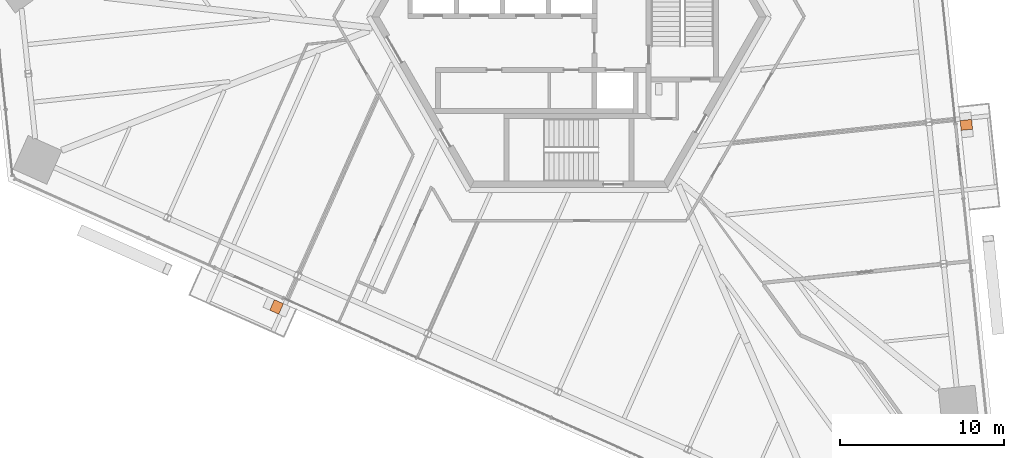
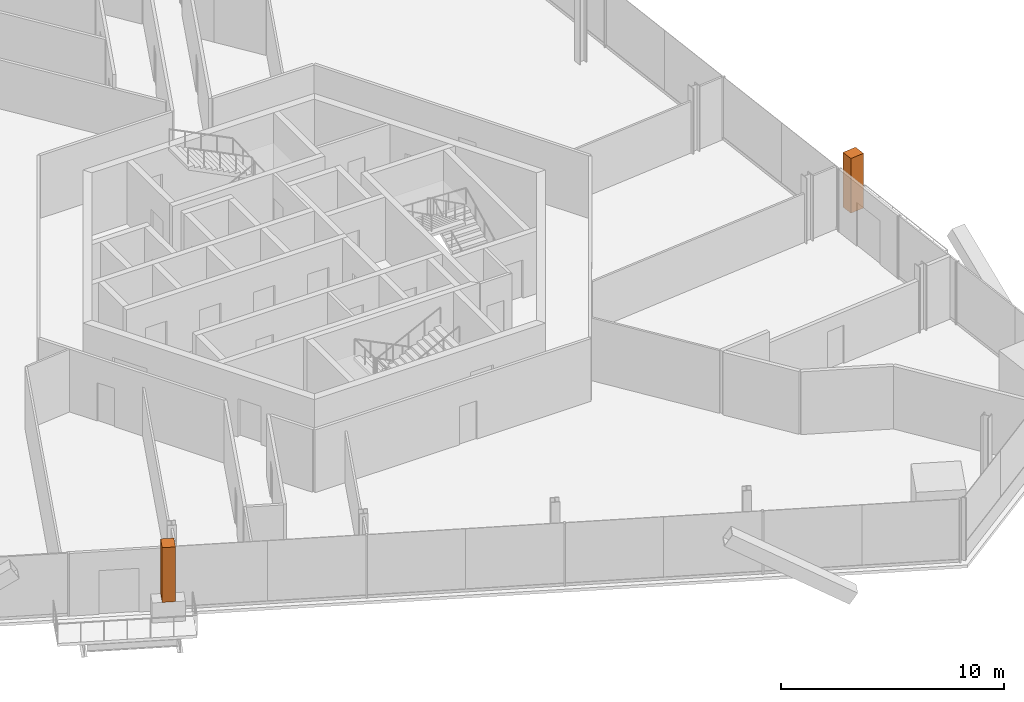
# One storey, part 17 of 17: 2 geographic elements.
"""IFC4 building model written with IfcOpenShell, lengths in metres."""

from ifc_helpers import new_model, si_unit, direction, frame, origin, origin_2d, place, context, subcontext, project, spatial, rectangle, extrude, source, transform, mapped, material, type_object, element, save


model = new_model("IFC4")

# Units and contexts
model_context = context("Model", 3, precision=1e-05, world=origin(), true_north=direction((0.0, 1.0)))
body_context = subcontext(model_context, "Body", "Model", "MODEL_VIEW")
ifc_project = project(units=[si_unit("LENGTHUNIT", "METRE"), si_unit("AREAUNIT", "SQUARE_METRE"), si_unit("VOLUMEUNIT", "CUBIC_METRE"), si_unit("PLANEANGLEUNIT", "RADIAN"), si_unit("MASSUNIT", "GRAM", prefix="KILO")], contexts=[model_context])

# Site, building, storey
site_placement = place(None, origin())
site = spatial("IfcSite", under=ifc_project, at=site_placement, CompositionType="ELEMENT")
building_placement = place(site_placement, origin())
building = spatial("IfcBuilding", under=site, at=building_placement, Name="Triune Harvest Tower", CompositionType="ELEMENT")
storey_placement = place(building_placement, frame((0.0, 0.0, 62.10009765625)))
storey = spatial("IfcBuildingStorey", under=building, at=storey_placement, Name="L14", CompositionType="ELEMENT", Elevation=62.10009765625)

# Geographic elements
ifc_material = material(Name="TREE-1 tree")
geographic_element_type = type_object("IfcGeographicElementType", Name="TREE-1 tree", PredefinedType="USERDEFINED", material=ifc_material)
shared_shape = source(origin(), body_context, "Body", "SweptSolid", [
    extrude(rectangle(XDim=0.60009765625, YDim=0.699951171875, at=origin_2d()), origin(), (0.0, 0.0, 1.0), 3.0),
])
for number, where, z_axis, x_axis, name in (
    (1, (24.167236328125, -6.57373046875, 1.099853515625), (0.0, 0.0, 1.0), (-0.104527536558, 0.994521992769, 0.0), "Tree B2-F1 L14.4b"),
    (2, (-17.776611328125, -17.642578125, 1.099853515625), (0.0, 0.0, 1.0), (0.913545207137, -0.406737205721, 0.0), "Tree B2-F5 L14.4b"),
):
    element("IfcGeographicElement", number, at=place(storey_placement, frame(where, z_axis=z_axis, x_axis=x_axis)), inside=storey, type_object=geographic_element_type, Name=name, ObjectType="TREE", PredefinedType="USERDEFINED", context=body_context, shape_type="MappedRepresentation", body=[
        mapped(shared_shape, transform((0.0, 0.0, 0.0), scale=1.0)),
    ])

save(model, "model.ifc")
